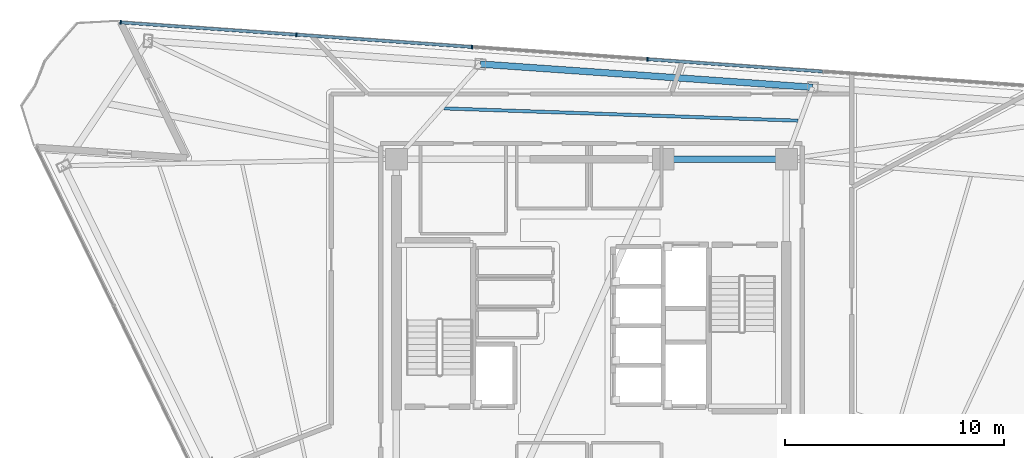
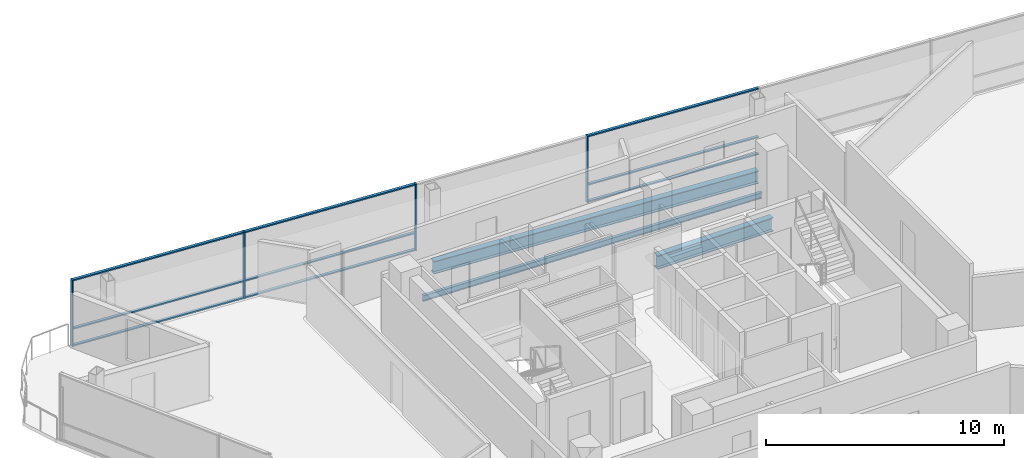
# One storey, part 6 of 14: 13 members, 3 beams, 1 element without a shape of its own.
"""IFC4 building model written with IfcOpenShell, lengths in metres."""

from ifc_helpers import new_model, si_unit, direction, frame, origin, origin_2d, place, context, subcontext, project, spatial, rectangle, i_section, extrude, material, layer, layer_set, material_profile, profile_set, type_object, element, aggregate, save


model = new_model("IFC4")

# Units and contexts
model_context = context("Model", 3, precision=1e-05, world=origin(), true_north=direction((0.0, 1.0)))
body_context = subcontext(model_context, "Body", "Model", "MODEL_VIEW")
ifc_project = project(units=[si_unit("LENGTHUNIT", "METRE"), si_unit("AREAUNIT", "SQUARE_METRE"), si_unit("VOLUMEUNIT", "CUBIC_METRE"), si_unit("PLANEANGLEUNIT", "RADIAN"), si_unit("MASSUNIT", "GRAM", prefix="KILO")], contexts=[model_context])

# Site, building, storey
site_placement = place(None, origin())
site = spatial("IfcSite", under=ifc_project, at=site_placement, CompositionType="ELEMENT")
building_placement = place(site_placement, origin())
building = spatial("IfcBuilding", under=site, at=building_placement, Name="Tharavind Bronze Gate", CompositionType="ELEMENT")
storey_placement = place(building_placement, frame((0.0, 0.0, 241.449951171875)))
storey = spatial("IfcBuildingStorey", under=building, at=storey_placement, Name="L62", CompositionType="ELEMENT", Elevation=241.449951171875)

# Curtain wall, members
ifc_material_1 = material(Name="Anodised Bronze Aluminium", Category="aluminium")
ifc_layer = layer(ifc_material_1, 0.219970703125)
ifc_layer_set = layer_set([ifc_layer], Name="Anodised Bronze Aluminium")
curtain_wall_type = type_object("IfcCurtainWallType", Name="UNITISED CURTAIN WALL UPPER OFFICE", PredefinedType="USERDEFINED", material=ifc_layer_set)
curtain_wall_placement = place(storey_placement, origin())
curtain_wall = element("IfcCurtainWall", 1, at=curtain_wall_placement, inside=storey, type_object=curtain_wall_type, Name="L62 unitised curtain wall upper office CW-L62-S3", ObjectType="UNITISED CURTAIN WALL", PredefinedType="USERDEFINED")
member_type_1 = type_object("IfcMemberType", Name="CURTAIN WALL BRONZE MULLION 65X180", PredefinedType="MULLION", material=ifc_material_1)
member_1_placement = place(storey_placement, frame((2.5654296875, 12.162353515625, 0.0), z_axis=(0.0, 0.0, 1.0), x_axis=(-0.99756392851, 0.069758214822, 0.0)))
member_1 = element("IfcMember", 2, at=member_1_placement, type_object=member_type_1, Name="CW-L62-S3 mullion 4", PredefinedType="MULLION", context=body_context, shape_type="SweptSolid", body=[
    extrude(rectangle(XDim=0.06494140625, YDim=0.179931640625, at=origin_2d()), origin(), (0.0, 0.0, 1.0), 3.419921875),
])
member_2_placement = place(storey_placement, frame((-5.452880859375, 12.72314453125, 0.0), z_axis=(0.0, 0.0, 1.0), x_axis=(-0.99756392851, 0.069758214822, 0.0)))
member_2 = element("IfcMember", 3, at=member_2_placement, type_object=member_type_1, Name="CW-L62-S3 mullion 5", PredefinedType="MULLION", context=body_context, shape_type="SweptSolid", body=[
    extrude(rectangle(XDim=0.06494140625, YDim=0.179931640625, at=origin_2d()), origin(), (0.0, 0.0, 1.0), 3.419921875),
])
member_3_placement = place(storey_placement, frame((-13.471435546875, 13.28369140625, 0.0), z_axis=(0.0, 0.0, 1.0), x_axis=(-0.99756392851, 0.069758214822, 0.0)))
member_3 = element("IfcMember", 4, at=member_3_placement, type_object=member_type_1, Name="CW-L62-S3 mullion 6", PredefinedType="MULLION", context=body_context, shape_type="SweptSolid", body=[
    extrude(rectangle(XDim=0.06494140625, YDim=0.179931640625, at=origin_2d()), origin(), (0.0, 0.0, 1.0), 3.419921875),
])
member_4_placement = place(storey_placement, frame((-21.489990234375, 13.844482421875, 0.0), z_axis=(0.0, 0.0, 1.0), x_axis=(-0.99756392851, 0.069758214822, 0.0)))
member_4 = element("IfcMember", 5, at=member_4_placement, type_object=member_type_1, Name="CW-L62-S3 mullion 7", PredefinedType="MULLION", context=body_context, shape_type="SweptSolid", body=[
    extrude(rectangle(XDim=0.06494140625, YDim=0.179931640625, at=origin_2d()), origin(), (0.0, 0.0, 1.0), 3.419921875),
])
member_type_2 = type_object("IfcMemberType", Name="CURTAIN WALL BRONZE TRANSOM 65X140", PredefinedType="USERDEFINED", material=ifc_material_1)
member_5_placement = place(storey_placement, frame((6.57470703125, 11.882080078125, 0.0), z_axis=(0.0, 0.0, 1.0), x_axis=(-0.99756392851, 0.069758214822, 0.0)))
member_5 = element("IfcMember", 6, at=member_5_placement, type_object=member_type_2, Name="CW-L62-S3 transom TB3", ObjectType="TRANSOM", PredefinedType="USERDEFINED", context=body_context, shape_type="SweptSolid", body=[
    extrude(rectangle(XDim=7.985107421875, YDim=0.139892578125, at=origin_2d()), origin(), (0.0, 0.0, 1.0), 0.06494140625),
])
member_6_placement = place(storey_placement, frame((6.57470703125, 11.882080078125, 0.86767578125), z_axis=(0.0, 0.0, 1.0), x_axis=(-0.99756392851, 0.069758214822, 0.0)))
member_6 = element("IfcMember", 7, at=member_6_placement, type_object=member_type_2, Name="CW-L62-S3 transom TS3", ObjectType="TRANSOM", PredefinedType="USERDEFINED", context=body_context, shape_type="SweptSolid", body=[
    extrude(rectangle(XDim=7.985107421875, YDim=0.139892578125, at=origin_2d()), origin(), (0.0, 0.0, 1.0), 0.06494140625),
])
member_7_placement = place(storey_placement, frame((6.57470703125, 11.882080078125, 3.35498046875), z_axis=(0.0, 0.0, 1.0), x_axis=(-0.99756392851, 0.069758214822, 0.0)))
member_7 = element("IfcMember", 8, at=member_7_placement, type_object=member_type_2, Name="CW-L62-S3 transom TT3", ObjectType="TRANSOM", PredefinedType="USERDEFINED", context=body_context, shape_type="SweptSolid", body=[
    extrude(rectangle(XDim=7.985107421875, YDim=0.139892578125, at=origin_2d()), origin(), (0.0, 0.0, 1.0), 0.06494140625),
])
member_8_placement = place(storey_placement, frame((-9.462158203125, 13.00341796875, 0.0), z_axis=(0.0, 0.0, 1.0), x_axis=(-0.99756392851, 0.069758214822, 0.0)))
member_8 = element("IfcMember", 9, at=member_8_placement, type_object=member_type_2, Name="CW-L62-S3 transom TB5", ObjectType="TRANSOM", PredefinedType="USERDEFINED", context=body_context, shape_type="SweptSolid", body=[
    extrude(rectangle(XDim=7.985107421875, YDim=0.139892578125, at=origin_2d()), origin(), (0.0, 0.0, 1.0), 0.06494140625),
])
member_9_placement = place(storey_placement, frame((-9.462158203125, 13.00341796875, 0.86767578125), z_axis=(0.0, 0.0, 1.0), x_axis=(-0.99756392851, 0.069758214822, 0.0)))
member_9 = element("IfcMember", 10, at=member_9_placement, type_object=member_type_2, Name="CW-L62-S3 transom TS5", ObjectType="TRANSOM", PredefinedType="USERDEFINED", context=body_context, shape_type="SweptSolid", body=[
    extrude(rectangle(XDim=7.985107421875, YDim=0.139892578125, at=origin_2d()), origin(), (0.0, 0.0, 1.0), 0.06494140625),
])
member_10_placement = place(storey_placement, frame((-9.462158203125, 13.00341796875, 3.35498046875), z_axis=(0.0, 0.0, 1.0), x_axis=(-0.99756392851, 0.069758214822, 0.0)))
member_10 = element("IfcMember", 11, at=member_10_placement, type_object=member_type_2, Name="CW-L62-S3 transom TT5", ObjectType="TRANSOM", PredefinedType="USERDEFINED", context=body_context, shape_type="SweptSolid", body=[
    extrude(rectangle(XDim=7.985107421875, YDim=0.139892578125, at=origin_2d()), origin(), (0.0, 0.0, 1.0), 0.06494140625),
])
member_11_placement = place(storey_placement, frame((-17.480712890625, 13.564208984375, 0.0), z_axis=(0.0, 0.0, 1.0), x_axis=(-0.99756392851, 0.069758214822, 0.0)))
member_11 = element("IfcMember", 12, at=member_11_placement, type_object=member_type_2, Name="CW-L62-S3 transom TB6", ObjectType="TRANSOM", PredefinedType="USERDEFINED", context=body_context, shape_type="SweptSolid", body=[
    extrude(rectangle(XDim=7.985107421875, YDim=0.139892578125, at=origin_2d()), origin(), (0.0, 0.0, 1.0), 0.06494140625),
])
member_12_placement = place(storey_placement, frame((-17.480712890625, 13.564208984375, 0.86767578125), z_axis=(0.0, 0.0, 1.0), x_axis=(-0.99756392851, 0.069758214822, 0.0)))
member_12 = element("IfcMember", 13, at=member_12_placement, type_object=member_type_2, Name="CW-L62-S3 transom TS6", ObjectType="TRANSOM", PredefinedType="USERDEFINED", context=body_context, shape_type="SweptSolid", body=[
    extrude(rectangle(XDim=7.985107421875, YDim=0.139892578125, at=origin_2d()), origin(), (0.0, 0.0, 1.0), 0.06494140625),
])
member_13_placement = place(storey_placement, frame((-17.480712890625, 13.564208984375, 3.35498046875), z_axis=(0.0, 0.0, 1.0), x_axis=(-0.99756392851, 0.069758214822, 0.0)))
member_13 = element("IfcMember", 14, at=member_13_placement, type_object=member_type_2, Name="CW-L62-S3 transom TT6", ObjectType="TRANSOM", PredefinedType="USERDEFINED", context=body_context, shape_type="SweptSolid", body=[
    extrude(rectangle(XDim=7.985107421875, YDim=0.139892578125, at=origin_2d()), origin(), (0.0, 0.0, 1.0), 0.06494140625),
])
aggregate(curtain_wall, [member_1, member_2, member_3, member_4, member_5, member_6, member_7, member_8, member_9, member_10, member_11, member_12, member_13])

# Beams
ifc_material_2 = material(Name="Steel S355", Category="steel")
ifc_material_profile_1 = material_profile(ifc_material_2, i_section(OverallWidth=0.300048828125, OverallDepth=0.64990234375, WebThickness=0.01611328125, FlangeThickness=0.031005859375, at=origin_2d()), Name="HE650B")
ifc_profile_set_1 = profile_set([ifc_material_profile_1], Name="Steel S355")
beam_type_1 = type_object("IfcBeamType", Name="PRIMARY GIRDER HE650B", PredefinedType="USERDEFINED", material=ifc_profile_set_1)
beam_1_placement = place(storey_placement, frame((10.099609375, 10.8837890625, -0.5048828125), z_axis=(-0.997564956602, 0.069743511238, 0.0), x_axis=(-0.069743511238, -0.997564956602, 0.0)))
element("IfcBeam", 15, at=beam_1_placement, inside=storey, type_object=beam_type_1, Name="L62 primary girder he650b BM-L62-PRG10", ObjectType="GIRDER", PredefinedType="USERDEFINED", context=body_context, shape_type="SweptSolid", body=[
    extrude(i_section(OverallWidth=0.300048828125, OverallDepth=0.64990234375, WebThickness=0.01611328125, FlangeThickness=0.031005859375, at=origin_2d()), origin(), (0.0, 0.0, 1.0), 15.2099609375),
])
ifc_material_profile_2 = material_profile(ifc_material_2, i_section(OverallWidth=0.300048828125, OverallDepth=0.699951171875, WebThickness=0.01708984375, FlangeThickness=0.031982421875, at=origin_2d()), Name="HE700B")
ifc_profile_set_2 = profile_set([ifc_material_profile_2], Name="Steel S355")
beam_type_2 = type_object("IfcBeamType", Name="RING GIRDER HE700B", PredefinedType="USERDEFINED", material=ifc_profile_set_2)
beam_2_placement = place(storey_placement, frame((8.89990234375, 7.60009765625, -0.530029296875), z_axis=(-1.0, 0.0, 0.0), x_axis=(0.0, -1.0, 0.0)))
element("IfcBeam", 16, at=beam_2_placement, inside=storey, type_object=beam_type_2, Name="L62 ring girder he700b BM-L62-CR4", ObjectType="GIRDER", PredefinedType="USERDEFINED", context=body_context, shape_type="SweptSolid", body=[
    extrude(i_section(OverallWidth=0.300048828125, OverallDepth=0.699951171875, WebThickness=0.01708984375, FlangeThickness=0.031982421875, at=origin_2d()), origin(), (0.0, 0.0, 1.0), 5.619873046875),
])
ifc_material_profile_3 = material_profile(ifc_material_2, i_section(OverallWidth=0.14990234375, OverallDepth=0.300048828125, WebThickness=0.007080078125, FlangeThickness=0.0107421875, at=origin_2d()), Name="IPE300")
ifc_profile_set_3 = profile_set([ifc_material_profile_3], Name="Steel S355")
beam_type_3 = type_object("IfcBeamType", Name="SECONDARY FLOOR JOIST IPE300", PredefinedType="JOIST", material=ifc_profile_set_3)
beam_3_placement = place(storey_placement, frame((9.4326171875, 9.360595703125, -0.329833984375), z_axis=(-0.999400965348, 0.034607953742, 0.0), x_axis=(-0.034607953742, -0.999400965348, 0.0)))
element("IfcBeam", 17, at=beam_3_placement, inside=storey, type_object=beam_type_3, Name="L62 secondary floor joist ipe300 BM-L62-JSTA10", PredefinedType="JOIST", context=body_context, shape_type="SweptSolid", body=[
    extrude(i_section(OverallWidth=0.14990234375, OverallDepth=0.300048828125, WebThickness=0.007080078125, FlangeThickness=0.0107421875, at=origin_2d()), origin(), (0.0, 0.0, 1.0), 16.161865234375),
])

save(model, "model.ifc")
